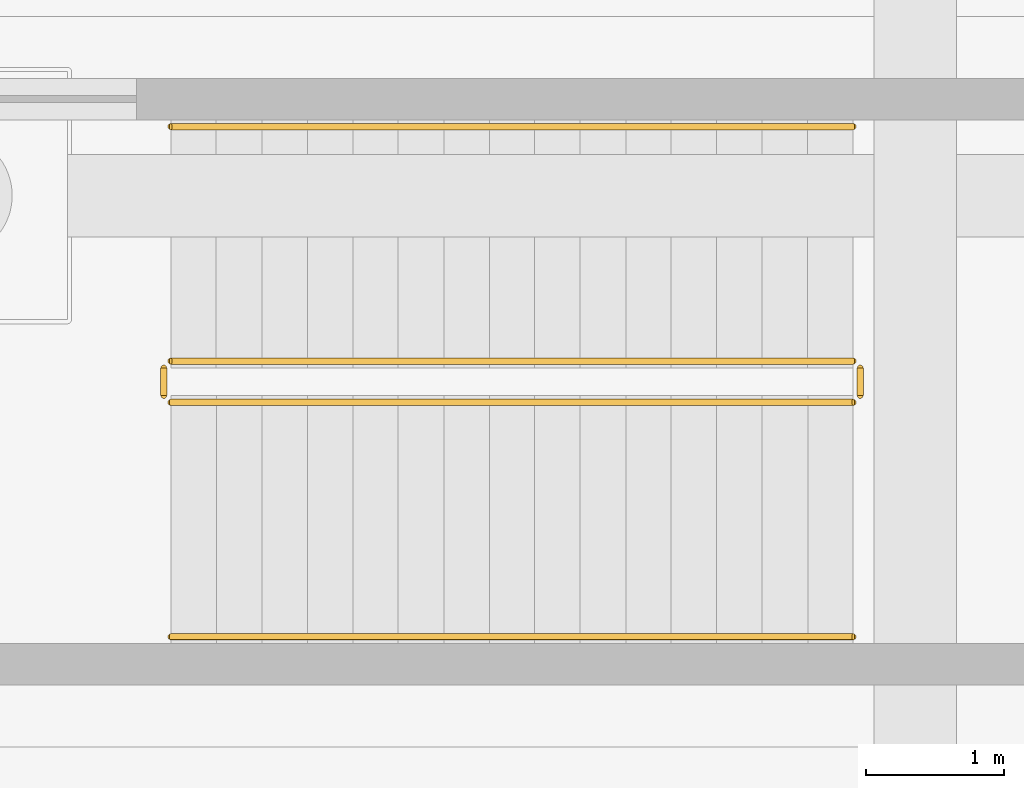
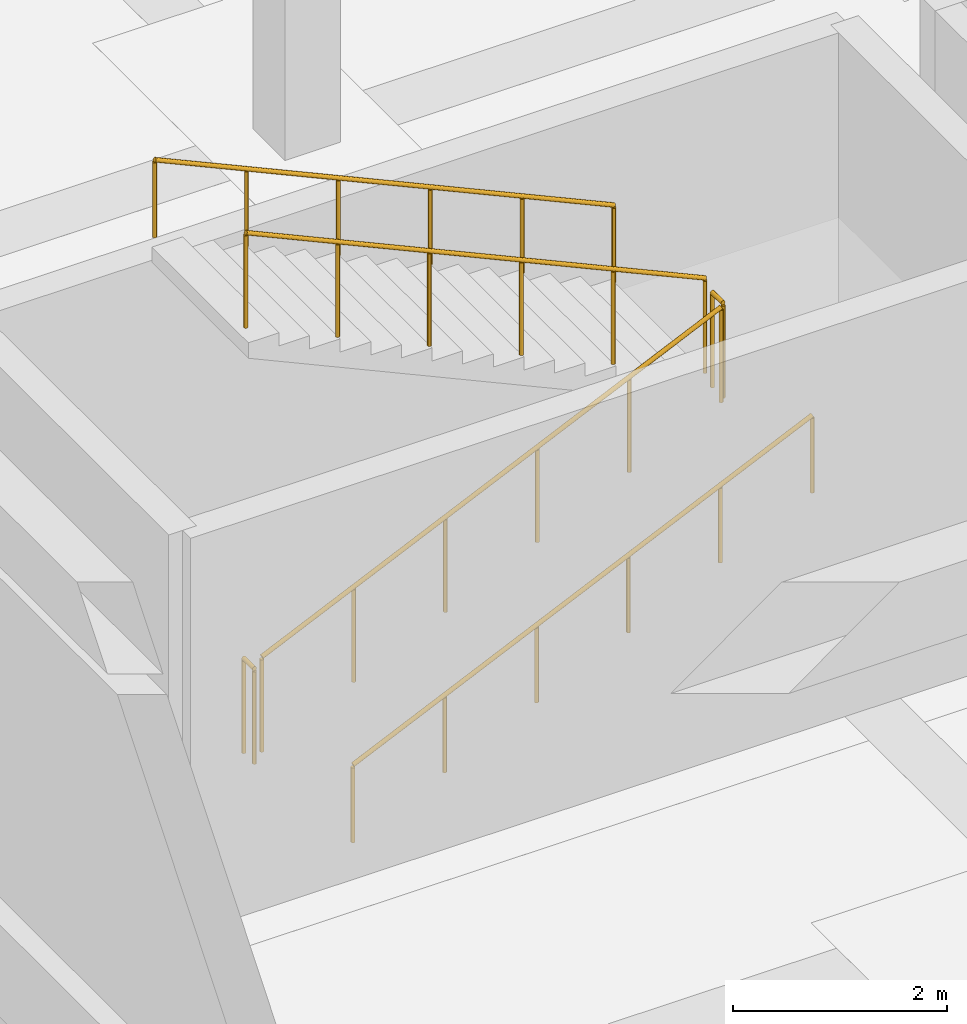
# One storey, part 70 of 80: 6 railings.
"""IFC4 building model written with IfcOpenShell, lengths in metres."""

from ifc_helpers import new_model, si_unit, direction, frame, origin, origin_2d, place, context, subcontext, project, spatial, circle, extrude, material, layer, layer_set, type_object, element, save


model = new_model("IFC4")

# Units and contexts
model_context = context("Model", 3, precision=1e-05, world=origin(), true_north=direction((0.0, 1.0)))
body_context = subcontext(model_context, "Body", "Model", "MODEL_VIEW")
ifc_project = project(units=[si_unit("LENGTHUNIT", "METRE"), si_unit("AREAUNIT", "SQUARE_METRE"), si_unit("VOLUMEUNIT", "CUBIC_METRE"), si_unit("PLANEANGLEUNIT", "RADIAN"), si_unit("MASSUNIT", "GRAM", prefix="KILO")], contexts=[model_context])

# Site, building, storey
site_placement = place(None, origin())
site = spatial("IfcSite", under=ifc_project, at=site_placement, CompositionType="ELEMENT")
building_placement = place(site_placement, origin())
building = spatial("IfcBuilding", under=site, at=building_placement, Name="Malvenik Polytechnic", CompositionType="ELEMENT")
storey_placement = place(building_placement, frame((0.0, 0.0, -4.800048828125)))
storey = spatial("IfcBuildingStorey", under=building, at=storey_placement, Name="B1", CompositionType="ELEMENT", Elevation=-4.800048828125)

# Railings
ifc_material_1 = material(Name="Painted galvanised steel stair well balustrade 1100mm", Category="steel")
ifc_layer_1 = layer(ifc_material_1, 0.050048828125)
ifc_layer_set_1 = layer_set([ifc_layer_1], Name="Painted galvanised steel stair well balustrade 1100mm")
railing_type_1 = type_object("IfcRailingType", Name="ARC-RL-STGD", PredefinedType="BALUSTRADE", material=ifc_layer_set_1)
railing_1_placement = place(storey_placement, frame((36.60009765625, 56.10009765625, 0.150146484375)))
element("IfcRailing", 1, at=railing_1_placement, inside=storey, type_object=railing_type_1, Name="B1 ST-06 stair guard 1", PredefinedType="BALUSTRADE", context=body_context, shape_type="SweptSolid", body=[
    extrude(circle(Radius=0.02392578125, at=origin_2d()), frame((0.0, 0.0, 1.076171875), z_axis=(0.910364939756, 0.0, 0.41380632724), x_axis=(0.0, 1.0, 0.0)), (0.0, 0.0, 1.0), 5.437255859375),
    extrude(circle(Radius=0.02099609375, at=origin_2d()), origin(), (0.0, 0.0, 1.0), 1.052001953125),
    extrude(circle(Radius=0.02099609375, at=origin_2d()), frame((0.989990234375, 0.0, 0.449951171875)), (0.0, 0.0, 1.0), 1.052001953125),
    extrude(circle(Radius=0.02099609375, at=origin_2d()), frame((1.97998046875, 0.0, 0.89990234375)), (0.0, 0.0, 1.0), 1.052001953125),
    extrude(circle(Radius=0.02099609375, at=origin_2d()), frame((2.969970703125, 0.0, 1.35009765625)), (0.0, 0.0, 1.0), 1.052001953125),
    extrude(circle(Radius=0.02099609375, at=origin_2d()), frame((3.9599609375, 0.0, 1.800048828125)), (0.0, 0.0, 1.0), 1.052001953125),
    extrude(circle(Radius=0.02099609375, at=origin_2d()), frame((4.949951171875, 0.0, 2.25)), (0.0, 0.0, 1.0), 1.052001953125),
])
railing_2_placement = place(storey_placement, frame((41.60009765625, 56.14990234375, 2.400146484375)))
element("IfcRailing", 2, at=railing_2_placement, inside=storey, type_object=railing_type_1, Name="B1 ST-06 stair guard 2", PredefinedType="BALUSTRADE", context=body_context, shape_type="SweptSolid", body=[
    extrude(circle(Radius=0.02392578125, at=origin_2d()), frame((0.0, 0.0, 1.076171875), z_axis=(0.0, 1.0, 0.0), x_axis=(-1.0, 0.0, 0.0)), (0.0, 0.0, 1.0), 0.2001953125),
    extrude(circle(Radius=0.02099609375, at=origin_2d()), origin(), (0.0, 0.0, 1.0), 1.052001953125),
    extrude(circle(Radius=0.02099609375, at=origin_2d()), frame((0.0, 0.2001953125, 0.0)), (0.0, 0.0, 1.0), 1.052001953125),
])
railing_3_placement = place(storey_placement, frame((41.550048828125, 56.39990234375, 2.550048828125)))
element("IfcRailing", 3, at=railing_3_placement, inside=storey, type_object=railing_type_1, Name="B1 ST-06 stair guard 3", PredefinedType="BALUSTRADE", context=body_context, shape_type="SweptSolid", body=[
    extrude(circle(Radius=0.02392578125, at=origin_2d()), frame((0.0, 0.0, 1.076171875), z_axis=(-0.910364939756, 0.0, 0.41380632724), x_axis=(0.0, -1.0, 0.0)), (0.0, 0.0, 1.0), 5.437255859375),
    extrude(circle(Radius=0.02099609375, at=origin_2d()), origin(), (0.0, 0.0, 1.0), 1.052001953125),
    extrude(circle(Radius=0.02099609375, at=origin_2d()), frame((-0.989990234375, 0.0, 0.449951171875)), (0.0, 0.0, 1.0), 1.052001953125),
    extrude(circle(Radius=0.02099609375, at=origin_2d()), frame((-1.97998046875, 0.0, 0.89990234375)), (0.0, 0.0, 1.0), 1.052001953125),
    extrude(circle(Radius=0.02099609375, at=origin_2d()), frame((-2.969970703125, 0.0, 1.35009765625)), (0.0, 0.0, 1.0), 1.052001953125),
    extrude(circle(Radius=0.02099609375, at=origin_2d()), frame((-3.9599609375, 0.0, 1.800048828125)), (0.0, 0.0, 1.0), 1.052001953125),
    extrude(circle(Radius=0.02099609375, at=origin_2d()), frame((-4.949951171875, 0.0, 2.25)), (0.0, 0.0, 1.0), 1.052001953125),
])
railing_4_placement = place(storey_placement, frame((36.550048828125, 56.14990234375, 0.0)))
element("IfcRailing", 4, at=railing_4_placement, inside=storey, type_object=railing_type_1, Name="B1 ST-06 stair guard 4", PredefinedType="BALUSTRADE", context=body_context, shape_type="SweptSolid", body=[
    extrude(circle(Radius=0.02392578125, at=origin_2d()), frame((0.0, 0.0, 1.076171875), z_axis=(0.0, 1.0, 0.0), x_axis=(-1.0, 0.0, 0.0)), (0.0, 0.0, 1.0), 0.2001953125),
    extrude(circle(Radius=0.02099609375, at=origin_2d()), origin(), (0.0, 0.0, 1.0), 1.052001953125),
    extrude(circle(Radius=0.02099609375, at=origin_2d()), frame((0.0, 0.2001953125, 0.0)), (0.0, 0.0, 1.0), 1.052001953125),
])
ifc_material_2 = material(Name="Brushed stainless steel 1.4301 stair wall handrail", Category="steel")
ifc_layer_2 = layer(ifc_material_2, 0.044921875)
ifc_layer_set_2 = layer_set([ifc_layer_2], Name="Brushed stainless steel 1.4301 stair wall handrail")
railing_type_2 = type_object("IfcRailingType", Name="ARC-RL-STHR", PredefinedType="HANDRAIL", material=ifc_layer_set_2)
railing_5_placement = place(storey_placement, frame((36.60009765625, 54.39990234375, 0.150146484375)))
element("IfcRailing", 5, at=railing_5_placement, inside=storey, type_object=railing_type_2, Name="B1 ST-06 stair handrail 1", PredefinedType="HANDRAIL", context=body_context, shape_type="SweptSolid", body=[
    extrude(circle(Radius=0.02392578125, at=origin_2d()), frame((0.0, 0.0, 0.8759765625), z_axis=(0.910364939756, 0.0, 0.41380632724), x_axis=(0.0, 1.0, 0.0)), (0.0, 0.0, 1.0), 5.437255859375),
    extrude(circle(Radius=0.02099609375, at=origin_2d()), origin(), (0.0, 0.0, 1.0), 0.851806640625),
    extrude(circle(Radius=0.02099609375, at=origin_2d()), frame((0.989990234375, 0.0, 0.449951171875)), (0.0, 0.0, 1.0), 0.851806640625),
    extrude(circle(Radius=0.02099609375, at=origin_2d()), frame((1.97998046875, 0.0, 0.89990234375)), (0.0, 0.0, 1.0), 0.851806640625),
    extrude(circle(Radius=0.02099609375, at=origin_2d()), frame((2.969970703125, 0.0, 1.35009765625)), (0.0, 0.0, 1.0), 0.851806640625),
    extrude(circle(Radius=0.02099609375, at=origin_2d()), frame((3.9599609375, 0.0, 1.800048828125)), (0.0, 0.0, 1.0), 0.851806640625),
    extrude(circle(Radius=0.02099609375, at=origin_2d()), frame((4.949951171875, 0.0, 2.25)), (0.0, 0.0, 1.0), 0.851806640625),
])
railing_6_placement = place(storey_placement, frame((41.550048828125, 58.10009765625, 2.550048828125)))
element("IfcRailing", 6, at=railing_6_placement, inside=storey, type_object=railing_type_2, Name="B1 ST-06 stair handrail 2", PredefinedType="HANDRAIL", context=body_context, shape_type="SweptSolid", body=[
    extrude(circle(Radius=0.02392578125, at=origin_2d()), frame((0.0, 0.0, 0.8759765625), z_axis=(-0.910364939756, 0.0, 0.41380632724), x_axis=(0.0, -1.0, 0.0)), (0.0, 0.0, 1.0), 5.437255859375),
    extrude(circle(Radius=0.02099609375, at=origin_2d()), origin(), (0.0, 0.0, 1.0), 0.851806640625),
    extrude(circle(Radius=0.02099609375, at=origin_2d()), frame((-0.989990234375, 0.0, 0.449951171875)), (0.0, 0.0, 1.0), 0.851806640625),
    extrude(circle(Radius=0.02099609375, at=origin_2d()), frame((-1.97998046875, 0.0, 0.89990234375)), (0.0, 0.0, 1.0), 0.851806640625),
    extrude(circle(Radius=0.02099609375, at=origin_2d()), frame((-2.969970703125, 0.0, 1.35009765625)), (0.0, 0.0, 1.0), 0.851806640625),
    extrude(circle(Radius=0.02099609375, at=origin_2d()), frame((-3.9599609375, 0.0, 1.800048828125)), (0.0, 0.0, 1.0), 0.851806640625),
    extrude(circle(Radius=0.02099609375, at=origin_2d()), frame((-4.949951171875, 0.0, 2.25)), (0.0, 0.0, 1.0), 0.851806640625),
])

save(model, "model.ifc")
